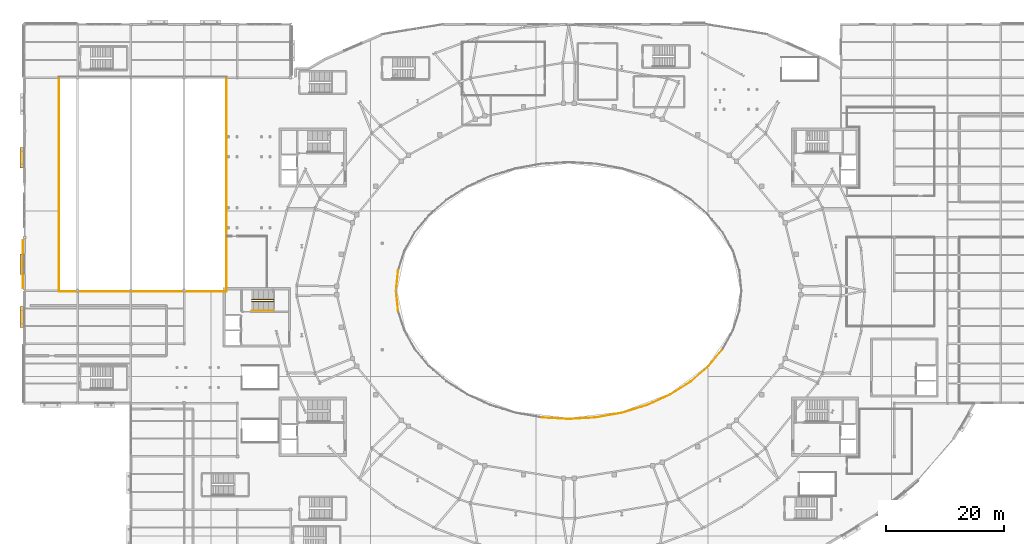
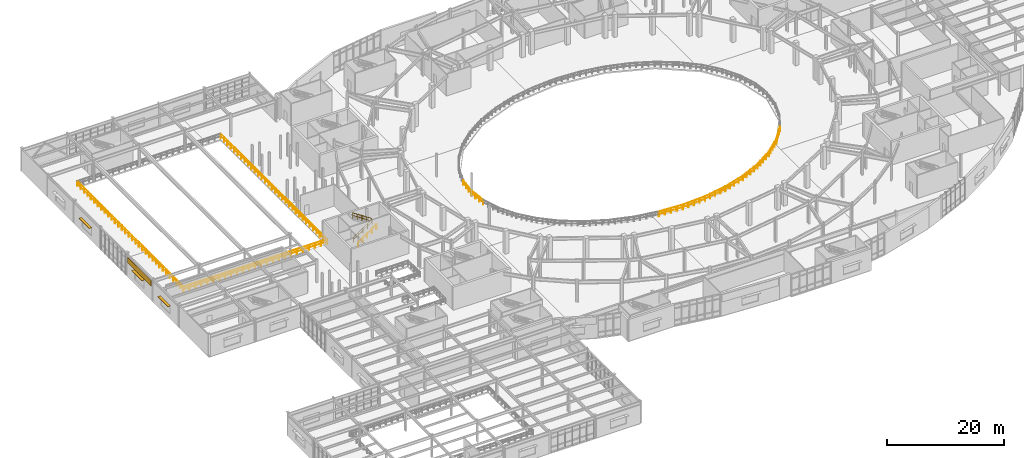
# One storey, part 83 of 86: 15 railings, 3 shading devices, 1 covering.
"""IFC4 building model written with IfcOpenShell, lengths in metres."""

import ifcopenshell
import ifcopenshell.guid

model = None  # the IFC model being written
_history = None  # IfcOwnerHistory: only IFC2X3 demands one
_inside = {}  # id of a spatial element -> (the spatial element, [elements in it])
_under = {}  # id of a project, library or spatial element -> (it, [spatial elements below it])
_declared = {}  # id of a project -> (the project, [libraries it declares])
_typed = {}  # id of a type object -> (the type object, [elements of that type])
_made_of = {}  # id of a material, layer set ... -> (it, [elements and type objects made of it])


def new_model(schema):
    """Start an empty IFC model of exactly this schema.

    Asked for "IFC4X3", IfcOpenShell would pick the latest addendum, in which some entities
    have other attributes; the version numbers below select the first issue.
    IFC2X3 requires an IfcOwnerHistory on every rooted entity: one is made here for all.
    """
    global model, _history
    if schema == "IFC4X3":
        model = ifcopenshell.file(schema_version=(4, 3, 0, 0))
    else:
        model = ifcopenshell.file(schema=schema)
    _inside.clear()
    _under.clear()
    _declared.clear()
    _typed.clear()
    _made_of.clear()
    _history = None
    if model.schema == "IFC2X3":
        org = make("IfcOrganization", Name="unknown")
        user = make(
            "IfcPersonAndOrganization",
            ThePerson=make("IfcPerson", FamilyName="unknown"),
            TheOrganization=org,
        )
        app = make(
            "IfcApplication",
            ApplicationDeveloper=org,
            Version="unknown",
            ApplicationFullName="unknown",
            ApplicationIdentifier="unknown",
        )
        _history = make(
            "IfcOwnerHistory",
            OwningUser=user,
            OwningApplication=app,
            ChangeAction="ADDED",
            CreationDate=0,
        )
    return model


def make(cls, **values):
    """One entity of the class cls with the attributes given. An attribute that is None is left unset."""
    return model.create_entity(
        cls, **{name: value for name, value in values.items() if value is not None}
    )


def rooted(cls, **values):
    """An entity with a GlobalId (a new one), such as an element, a storey or a relation."""
    return make(cls, GlobalId=ifcopenshell.guid.new(), OwnerHistory=_history, **values)


def si_unit(unit_type, name, prefix=None):
    """IfcSIUnit, for example si_unit("LENGTHUNIT", "METRE", prefix="MILLI")."""
    return make("IfcSIUnit", UnitType=unit_type, Prefix=prefix, Name=name)


def assignment(units):
    """IfcUnitAssignment: the units of a project."""
    return None if units is None else make("IfcUnitAssignment", Units=units)


def point(xyz):
    """IfcCartesianPoint."""
    return None if xyz is None else make("IfcCartesianPoint", Coordinates=xyz)


def direction(xyz):
    """IfcDirection."""
    return None if xyz is None else make("IfcDirection", DirectionRatios=xyz)


def frame(location, z_axis=None, x_axis=None):
    """IfcAxis2Placement3D, a coordinate frame: its origin and axes. An axis left out is left unset."""
    return make(
        "IfcAxis2Placement3D",
        Location=point(location),
        Axis=direction(z_axis),
        RefDirection=direction(x_axis),
    )


def frame_2d(location, x_axis=None):
    """IfcAxis2Placement2D, a coordinate frame in the plane: its origin and x axis."""
    return make(
        "IfcAxis2Placement2D", Location=point(location), RefDirection=direction(x_axis)
    )


def origin():
    """The frame at (0, 0, 0) with its axes left unset."""
    return frame((0.0, 0.0, 0.0))


def origin_2d():
    """The frame at (0, 0) in the plane with its x axis left unset."""
    return frame_2d((0.0, 0.0))


def place(relative_to, where):
    """IfcLocalPlacement: puts the frame where relative to a parent placement (None: the world)."""
    return make(
        "IfcLocalPlacement", PlacementRelTo=relative_to, RelativePlacement=where
    )


def context(
    kind, dimensions, precision=None, world=None, true_north=None, identifier=None
):
    """IfcGeometricRepresentationContext, for example the 3D "Model" context."""
    return make(
        "IfcGeometricRepresentationContext",
        ContextIdentifier=identifier,
        ContextType=kind,
        CoordinateSpaceDimension=dimensions,
        Precision=precision,
        WorldCoordinateSystem=world,
        TrueNorth=true_north,
    )


def subcontext(parent, identifier, kind, view, scale=None):
    """IfcGeometricRepresentationSubContext, for example "Body" below "Model"."""
    return make(
        "IfcGeometricRepresentationSubContext",
        ContextIdentifier=identifier,
        ContextType=kind,
        ParentContext=parent,
        TargetScale=scale,
        TargetView=view,
    )


def project(units=None, contexts=None):
    """IfcProject with its units and contexts."""
    return rooted(
        "IfcProject",
        Name="project",
        RepresentationContexts=contexts,
        UnitsInContext=assignment(units),
    )


def spatial(cls, under=None, at=None, **own):
    """A site, building, storey or space (cls), placed at a placement, below another one or the project."""
    s = rooted(cls, ObjectPlacement=at, **own)
    if under is not None:
        _under.setdefault(under.id(), (under, []))[1].append(s)
    return s


def profile(cls, at=None, kind="AREA", **sizes):
    """A parametric profile (cls). Its sizes go by their IFC names, for example OverallWidth=200.0."""
    return make(cls, ProfileType=kind, Position=at, **sizes)


def rectangle(**sizes):
    """IfcRectangleProfileDef."""
    return profile("IfcRectangleProfileDef", **sizes)


def circle(**sizes):
    """IfcCircleProfileDef."""
    return profile("IfcCircleProfileDef", **sizes)


def extrude(swept, where, along, depth):
    """IfcExtrudedAreaSolid: the profile swept, set in the frame where, extruded along a direction by depth."""
    return make(
        "IfcExtrudedAreaSolid",
        SweptArea=swept,
        Position=where,
        ExtrudedDirection=direction(along),
        Depth=depth,
    )


def shape(context_of_items, identifier, shape_type, items):
    """IfcShapeRepresentation: the items that make up one representation, for example the "Body"."""
    return make(
        "IfcShapeRepresentation",
        ContextOfItems=context_of_items,
        RepresentationIdentifier=identifier,
        RepresentationType=shape_type,
        Items=items,
    )


def material(Name=None, Category=None):
    """IfcMaterial."""
    return make("IfcMaterial", Name=Name, Category=Category)


def layer(
    of_material, thickness, ventilated=None, Name=None, Category=None, Priority=None
):
    """IfcMaterialLayer: one layer of a wall or slab, of a material (None: an air gap)."""
    return make(
        "IfcMaterialLayer",
        Material=of_material,
        LayerThickness=thickness,
        IsVentilated=ventilated,
        Name=Name,
        Category=Category,
        Priority=Priority,
    )


def layer_set(layers, Name=None):
    """IfcMaterialLayerSet."""
    return make("IfcMaterialLayerSet", MaterialLayers=layers, LayerSetName=Name)


def made_of(thing, what):
    """Note that an element or type object is made of a material, layer set ...; save() writes the relation."""
    if what is not None:
        _made_of.setdefault(what.id(), (what, []))[1].append(thing)
    return thing


def type_object(cls, material=None, **own):
    """A type object (cls), such as IfcWallType, which elements share."""
    return made_of(rooted(cls, **own), material)


def element(
    cls,
    number,
    at=None,
    inside=None,
    cuts=None,
    type_object=None,
    material=None,
    context=None,
    identifier="Body",
    shape_type=None,
    held_by="IfcProductDefinitionShape",
    body=None,
    shapes=None,
    **own,
):
    """One element of the class cls, such as IfcWall. Its Tag is "e" and its number.

    at: its placement. inside: the storey or other place that contains it. cuts: it is an
    opening in that element (IfcRelVoidsElement). A single representation is given by context,
    identifier, shape_type and body (its items); several are given by shapes. held_by: the class
    of the entity that holds the representations. save() writes the other relations.
    """
    e = rooted(cls, Tag="e%d" % number, ObjectPlacement=at, **own)
    if body is not None:
        shapes = [shape(context, identifier, shape_type, body)]
    if shapes is not None:
        e.Representation = make(held_by, Representations=shapes)
    if inside is not None:
        _inside.setdefault(inside.id(), (inside, []))[1].append(e)
    if cuts is not None:
        rooted(
            "IfcRelVoidsElement", RelatingBuildingElement=cuts, RelatedOpeningElement=e
        )
    if type_object is not None:
        _typed.setdefault(type_object.id(), (type_object, []))[1].append(e)
    return made_of(e, material)


def aggregate(whole, parts):
    """IfcRelAggregates: a whole, such as a stair, and the parts it consists of."""
    return rooted("IfcRelAggregates", RelatingObject=whole, RelatedObjects=parts)


def save(model, path):
    """Write the relations noted so far, then the file.

    IfcRelAggregates (storeys below a building ...), IfcRelContainedInSpatialStructure (elements
    in a storey), IfcRelDefinesByType, IfcRelAssociatesMaterial and IfcRelDeclares: one each for
    every whole, place, type object, material and project.
    """
    for whole, parts in _under.values():
        aggregate(whole, parts)
    for where, things in _inside.values():
        rooted(
            "IfcRelContainedInSpatialStructure",
            RelatedElements=things,
            RelatingStructure=where,
        )
    for kind, things in _typed.values():
        rooted("IfcRelDefinesByType", RelatedObjects=things, RelatingType=kind)
    for what, things in _made_of.values():
        rooted("IfcRelAssociatesMaterial", RelatedObjects=things, RelatingMaterial=what)
    for by, libraries in _declared.values():
        rooted("IfcRelDeclares", RelatingContext=by, RelatedDefinitions=libraries)
    model.write(path)


model = new_model("IFC4")

# Units and contexts
model_context = context("Model", 3, precision=1e-05, world=origin(), true_north=direction((0.0, 1.0)))
body_context = subcontext(model_context, "Body", "Model", "MODEL_VIEW")
ifc_project = project(units=[si_unit("LENGTHUNIT", "METRE"), si_unit("AREAUNIT", "SQUARE_METRE"), si_unit("VOLUMEUNIT", "CUBIC_METRE"), si_unit("PLANEANGLEUNIT", "RADIAN"), si_unit("MASSUNIT", "GRAM", prefix="KILO")], contexts=[model_context])

# Site, building, storey
site_placement = place(None, origin())
site = spatial("IfcSite", under=ifc_project, at=site_placement, CompositionType="ELEMENT")
building_placement = place(site_placement, origin())
building = spatial("IfcBuilding", under=site, at=building_placement, Name="Glasvene Arena", CompositionType="ELEMENT")
storey_placement = place(building_placement, frame((0.0, 0.0, 5.39990234375)))
storey = spatial("IfcBuildingStorey", under=building, at=storey_placement, Name="L01", CompositionType="ELEMENT", Elevation=5.39990234375)

# Covering
ifc_material_1 = material(Name="Coursed pale Irish limestone", Category="masonry")
ifc_layer_1 = layer(ifc_material_1, 0.050048828125)
ifc_layer_set_1 = layer_set([ifc_layer_1], Name="Coursed pale Irish limestone")
covering_type = type_object("IfcCoveringType", Name="COV-CLAD-LIM", PredefinedType="CLADDING", material=ifc_layer_set_1)
covering_placement = place(storey_placement, frame((-0.219970703125, 77.4658203125, 2.9501953125), z_axis=(0.0, 0.0, 1.0), x_axis=(0.0, 1.0, 0.0)))
element("IfcCovering", 1, at=covering_placement, inside=storey, type_object=covering_type, Name="Irish limestone spandrel cladding EW-L01-0118", PredefinedType="CLADDING", context=body_context, shape_type="SweptSolid", body=[
    extrude(rectangle(XDim=8.107177734375, YDim=0.050048828125, at=origin_2d()), origin(), (0.0, 0.0, 1.0), 1.215087890625),
])

# Railings
ifc_material_2 = material(Name="Brushed stainless steel", Category="steel")
railing_type_1 = type_object("IfcRailingType", Name="RL-GUARD-1100", PredefinedType="GUARDRAIL", material=ifc_material_2)
railing_1_placement = place(storey_placement, frame((38.449951171875, 71.159912109375, 0.0)))
element("IfcRailing", 2, at=railing_1_placement, inside=storey, type_object=railing_type_1, Name="Stair inner well continuous guardrail ST-07-L01", PredefinedType="GUARDRAIL", context=body_context, shape_type="SweptSolid", body=[
    extrude(circle(Radius=0.02392578125, at=origin_2d()), frame((0.0, 0.0, 1.076171875), z_axis=(0.837590697589, 0.0, 0.546298291515), x_axis=(0.0, 1.0, 0.0)), (0.0, 0.0, 1.0), 4.3935546875),
    extrude(circle(Radius=0.01611328125, at=origin_2d()), frame((0.0, 0.0, 0.550048828125), z_axis=(0.837590697589, 0.0, 0.546298291515), x_axis=(0.0, 1.0, 0.0)), (0.0, 0.0, 1.0), 4.3935546875),
    extrude(circle(Radius=0.02392578125, at=origin_2d()), frame((3.679931640625, 0.0, 3.47607421875), z_axis=(0.0, 1.0, 0.0), x_axis=(-1.0, 0.0, 0.0)), (0.0, 0.0, 1.0), 0.330078125),
    extrude(circle(Radius=0.01611328125, at=origin_2d()), frame((3.679931640625, 0.0, 2.9501953125), z_axis=(0.0, 1.0, 0.0), x_axis=(-1.0, 0.0, 0.0)), (0.0, 0.0, 1.0), 0.330078125),
    extrude(circle(Radius=0.02392578125, at=origin_2d()), frame((3.679931640625, 0.330078125, 3.47607421875), z_axis=(-0.837616124378, 0.0, 0.546259304892), x_axis=(0.0, -1.0, 0.0)), (0.0, 0.0, 1.0), 4.393310546875),
    extrude(circle(Radius=0.01611328125, at=origin_2d()), frame((3.679931640625, 0.330078125, 2.9501953125), z_axis=(-0.837616124378, 0.0, 0.546259304892), x_axis=(0.0, -1.0, 0.0)), (0.0, 0.0, 1.0), 4.393310546875),
    extrude(circle(Radius=0.02099609375, at=origin_2d()), origin(), (0.0, 0.0, 1.0), 1.052001953125),
    extrude(circle(Radius=0.02099609375, at=origin_2d()), frame((0.919921875, 0.0, 0.60009765625)), (0.0, 0.0, 1.0), 1.052001953125),
    extrude(circle(Radius=0.02099609375, at=origin_2d()), frame((1.83984375, 0.0, 1.2001953125)), (0.0, 0.0, 1.0), 1.052001953125),
    extrude(circle(Radius=0.02099609375, at=origin_2d()), frame((2.760009765625, 0.0, 1.800048828125)), (0.0, 0.0, 1.0), 1.052001953125),
    extrude(circle(Radius=0.02099609375, at=origin_2d()), frame((3.679931640625, 0.0, 2.400146484375)), (0.0, 0.0, 1.0), 1.052001953125),
    extrude(circle(Radius=0.02099609375, at=origin_2d()), frame((3.679931640625, 0.330078125, 2.400146484375)), (0.0, 0.0, 1.0), 1.052001953125),
    extrude(circle(Radius=0.02099609375, at=origin_2d()), frame((2.760009765625, 0.330078125, 3.0)), (0.0, 0.0, 1.0), 1.052001953125),
    extrude(circle(Radius=0.02099609375, at=origin_2d()), frame((1.83984375, 0.330078125, 3.60009765625)), (0.0, 0.0, 1.0), 1.052001953125),
    extrude(circle(Radius=0.02099609375, at=origin_2d()), frame((0.919921875, 0.330078125, 4.2001953125)), (0.0, 0.0, 1.0), 1.052001953125),
    extrude(circle(Radius=0.02099609375, at=origin_2d()), frame((0.0, 0.330078125, 4.800048828125)), (0.0, 0.0, 1.0), 1.052001953125),
])
railing_2_placement = place(storey_placement, frame((5.85009765625, 72.85009765625, 0.0)))
element("IfcRailing", 3, at=railing_2_placement, inside=storey, type_object=railing_type_1, Name="Safety guardrail GD-ATR-CRT-001", PredefinedType="GUARDRAIL", context=body_context, shape_type="SweptSolid", body=[
    extrude(circle(Radius=0.02392578125, at=origin_2d()), frame((0.0, 0.0, 1.076171875), z_axis=(1.0, 0.0, 0.0), x_axis=(0.0, 1.0, 0.0)), (0.0, 0.0, 1.0), 28.2998046875),
    extrude(circle(Radius=0.01611328125, at=origin_2d()), frame((0.0, 0.0, 0.550048828125), z_axis=(1.0, 0.0, 0.0), x_axis=(0.0, 1.0, 0.0)), (0.0, 0.0, 1.0), 28.2998046875),
    extrude(circle(Radius=0.02099609375, at=origin_2d()), origin(), (0.0, 0.0, 1.0), 1.052001953125),
    extrude(circle(Radius=0.02099609375, at=origin_2d()), frame((1.17919921875, 0.0, 0.0)), (0.0, 0.0, 1.0), 1.052001953125),
    extrude(circle(Radius=0.02099609375, at=origin_2d()), frame((2.3583984375, 0.0, 0.0)), (0.0, 0.0, 1.0), 1.052001953125),
    extrude(circle(Radius=0.02099609375, at=origin_2d()), frame((3.53759765625, 0.0, 0.0)), (0.0, 0.0, 1.0), 1.052001953125),
    extrude(circle(Radius=0.02099609375, at=origin_2d()), frame((4.716552734375, 0.0, 0.0)), (0.0, 0.0, 1.0), 1.052001953125),
    extrude(circle(Radius=0.02099609375, at=origin_2d()), frame((5.895751953125, 0.0, 0.0)), (0.0, 0.0, 1.0), 1.052001953125),
    extrude(circle(Radius=0.02099609375, at=origin_2d()), frame((7.074951171875, 0.0, 0.0)), (0.0, 0.0, 1.0), 1.052001953125),
    extrude(circle(Radius=0.02099609375, at=origin_2d()), frame((8.254150390625, 0.0, 0.0)), (0.0, 0.0, 1.0), 1.052001953125),
    extrude(circle(Radius=0.02099609375, at=origin_2d()), frame((9.433349609375, 0.0, 0.0)), (0.0, 0.0, 1.0), 1.052001953125),
    extrude(circle(Radius=0.02099609375, at=origin_2d()), frame((10.6123046875, 0.0, 0.0)), (0.0, 0.0, 1.0), 1.052001953125),
    extrude(circle(Radius=0.02099609375, at=origin_2d()), frame((11.79150390625, 0.0, 0.0)), (0.0, 0.0, 1.0), 1.052001953125),
    extrude(circle(Radius=0.02099609375, at=origin_2d()), frame((12.970703125, 0.0, 0.0)), (0.0, 0.0, 1.0), 1.052001953125),
    extrude(circle(Radius=0.02099609375, at=origin_2d()), frame((14.14990234375, 0.0, 0.0)), (0.0, 0.0, 1.0), 1.052001953125),
    extrude(circle(Radius=0.02099609375, at=origin_2d()), frame((15.3291015625, 0.0, 0.0)), (0.0, 0.0, 1.0), 1.052001953125),
    extrude(circle(Radius=0.02099609375, at=origin_2d()), frame((16.50830078125, 0.0, 0.0)), (0.0, 0.0, 1.0), 1.052001953125),
    extrude(circle(Radius=0.02099609375, at=origin_2d()), frame((17.6875, 0.0, 0.0)), (0.0, 0.0, 1.0), 1.052001953125),
    extrude(circle(Radius=0.02099609375, at=origin_2d()), frame((18.866455078125, 0.0, 0.0)), (0.0, 0.0, 1.0), 1.052001953125),
    extrude(circle(Radius=0.02099609375, at=origin_2d()), frame((20.045654296875, 0.0, 0.0)), (0.0, 0.0, 1.0), 1.052001953125),
    extrude(circle(Radius=0.02099609375, at=origin_2d()), frame((21.224853515625, 0.0, 0.0)), (0.0, 0.0, 1.0), 1.052001953125),
    extrude(circle(Radius=0.02099609375, at=origin_2d()), frame((22.404052734375, 0.0, 0.0)), (0.0, 0.0, 1.0), 1.052001953125),
    extrude(circle(Radius=0.02099609375, at=origin_2d()), frame((23.583251953125, 0.0, 0.0)), (0.0, 0.0, 1.0), 1.052001953125),
    extrude(circle(Radius=0.02099609375, at=origin_2d()), frame((24.76220703125, 0.0, 0.0)), (0.0, 0.0, 1.0), 1.052001953125),
    extrude(circle(Radius=0.02099609375, at=origin_2d()), frame((25.94140625, 0.0, 0.0)), (0.0, 0.0, 1.0), 1.052001953125),
    extrude(circle(Radius=0.02099609375, at=origin_2d()), frame((27.12060546875, 0.0, 0.0)), (0.0, 0.0, 1.0), 1.052001953125),
    extrude(circle(Radius=0.02099609375, at=origin_2d()), frame((28.2998046875, 0.0, 0.0)), (0.0, 0.0, 1.0), 1.052001953125),
])
railing_3_placement = place(storey_placement, frame((34.14990234375, 72.85009765625, 0.0)))
element("IfcRailing", 4, at=railing_3_placement, inside=storey, type_object=railing_type_1, Name="Safety guardrail GD-ATR-CRT-002", PredefinedType="GUARDRAIL", context=body_context, shape_type="SweptSolid", body=[
    extrude(circle(Radius=0.02392578125, at=origin_2d()), frame((0.0, 0.0, 1.076171875), z_axis=(0.0, 1.0, 0.0), x_axis=(-1.0, 0.0, 0.0)), (0.0, 0.0, 1.0), 36.2998046875),
    extrude(circle(Radius=0.01611328125, at=origin_2d()), frame((0.0, 0.0, 0.550048828125), z_axis=(0.0, 1.0, 0.0), x_axis=(-1.0, 0.0, 0.0)), (0.0, 0.0, 1.0), 36.2998046875),
    extrude(circle(Radius=0.02099609375, at=origin_2d()), origin(), (0.0, 0.0, 1.0), 1.052001953125),
    extrude(circle(Radius=0.02099609375, at=origin_2d()), frame((0.0, 1.1708984375, 0.0)), (0.0, 0.0, 1.0), 1.052001953125),
    extrude(circle(Radius=0.02099609375, at=origin_2d()), frame((0.0, 2.342041015625, 0.0)), (0.0, 0.0, 1.0), 1.052001953125),
    extrude(circle(Radius=0.02099609375, at=origin_2d()), frame((0.0, 3.512939453125, 0.0)), (0.0, 0.0, 1.0), 1.052001953125),
    extrude(circle(Radius=0.02099609375, at=origin_2d()), frame((0.0, 4.683837890625, 0.0)), (0.0, 0.0, 1.0), 1.052001953125),
    extrude(circle(Radius=0.02099609375, at=origin_2d()), frame((0.0, 5.854736328125, 0.0)), (0.0, 0.0, 1.0), 1.052001953125),
    extrude(circle(Radius=0.02099609375, at=origin_2d()), frame((0.0, 7.02587890625, 0.0)), (0.0, 0.0, 1.0), 1.052001953125),
    extrude(circle(Radius=0.02099609375, at=origin_2d()), frame((0.0, 8.19677734375, 0.0)), (0.0, 0.0, 1.0), 1.052001953125),
    extrude(circle(Radius=0.02099609375, at=origin_2d()), frame((0.0, 9.36767578125, 0.0)), (0.0, 0.0, 1.0), 1.052001953125),
    extrude(circle(Radius=0.02099609375, at=origin_2d()), frame((0.0, 10.53857421875, 0.0)), (0.0, 0.0, 1.0), 1.052001953125),
    extrude(circle(Radius=0.02099609375, at=origin_2d()), frame((0.0, 11.709716796875, 0.0)), (0.0, 0.0, 1.0), 1.052001953125),
    extrude(circle(Radius=0.02099609375, at=origin_2d()), frame((0.0, 12.880615234375, 0.0)), (0.0, 0.0, 1.0), 1.052001953125),
    extrude(circle(Radius=0.02099609375, at=origin_2d()), frame((0.0, 14.051513671875, 0.0)), (0.0, 0.0, 1.0), 1.052001953125),
    extrude(circle(Radius=0.02099609375, at=origin_2d()), frame((0.0, 15.222412109375, 0.0)), (0.0, 0.0, 1.0), 1.052001953125),
    extrude(circle(Radius=0.02099609375, at=origin_2d()), frame((0.0, 16.3935546875, 0.0)), (0.0, 0.0, 1.0), 1.052001953125),
    extrude(circle(Radius=0.02099609375, at=origin_2d()), frame((0.0, 17.564453125, 0.0)), (0.0, 0.0, 1.0), 1.052001953125),
    extrude(circle(Radius=0.02099609375, at=origin_2d()), frame((0.0, 18.7353515625, 0.0)), (0.0, 0.0, 1.0), 1.052001953125),
    extrude(circle(Radius=0.02099609375, at=origin_2d()), frame((0.0, 19.90625, 0.0)), (0.0, 0.0, 1.0), 1.052001953125),
    extrude(circle(Radius=0.02099609375, at=origin_2d()), frame((0.0, 21.077392578125, 0.0)), (0.0, 0.0, 1.0), 1.052001953125),
    extrude(circle(Radius=0.02099609375, at=origin_2d()), frame((0.0, 22.248291015625, 0.0)), (0.0, 0.0, 1.0), 1.052001953125),
    extrude(circle(Radius=0.02099609375, at=origin_2d()), frame((0.0, 23.419189453125, 0.0)), (0.0, 0.0, 1.0), 1.052001953125),
    extrude(circle(Radius=0.02099609375, at=origin_2d()), frame((0.0, 24.590087890625, 0.0)), (0.0, 0.0, 1.0), 1.052001953125),
    extrude(circle(Radius=0.02099609375, at=origin_2d()), frame((0.0, 25.76123046875, 0.0)), (0.0, 0.0, 1.0), 1.052001953125),
    extrude(circle(Radius=0.02099609375, at=origin_2d()), frame((0.0, 26.93212890625, 0.0)), (0.0, 0.0, 1.0), 1.052001953125),
    extrude(circle(Radius=0.02099609375, at=origin_2d()), frame((0.0, 28.10302734375, 0.0)), (0.0, 0.0, 1.0), 1.052001953125),
    extrude(circle(Radius=0.02099609375, at=origin_2d()), frame((0.0, 29.27392578125, 0.0)), (0.0, 0.0, 1.0), 1.052001953125),
    extrude(circle(Radius=0.02099609375, at=origin_2d()), frame((0.0, 30.445068359375, 0.0)), (0.0, 0.0, 1.0), 1.052001953125),
    extrude(circle(Radius=0.02099609375, at=origin_2d()), frame((0.0, 31.615966796875, 0.0)), (0.0, 0.0, 1.0), 1.052001953125),
    extrude(circle(Radius=0.02099609375, at=origin_2d()), frame((0.0, 32.786865234375, 0.0)), (0.0, 0.0, 1.0), 1.052001953125),
    extrude(circle(Radius=0.02099609375, at=origin_2d()), frame((0.0, 33.957763671875, 0.0)), (0.0, 0.0, 1.0), 1.052001953125),
    extrude(circle(Radius=0.02099609375, at=origin_2d()), frame((0.0, 35.12890625, 0.0)), (0.0, 0.0, 1.0), 1.052001953125),
    extrude(circle(Radius=0.02099609375, at=origin_2d()), frame((0.0, 36.2998046875, 0.0)), (0.0, 0.0, 1.0), 1.052001953125),
])
railing_4_placement = place(storey_placement, frame((5.85009765625, 109.14990234375, 0.0)))
element("IfcRailing", 5, at=railing_4_placement, inside=storey, type_object=railing_type_1, Name="Safety guardrail GD-ATR-CRT-004", PredefinedType="GUARDRAIL", context=body_context, shape_type="SweptSolid", body=[
    extrude(circle(Radius=0.02392578125, at=origin_2d()), frame((0.0, 0.0, 1.076171875), z_axis=(0.0, -1.0, 0.0), x_axis=(1.0, 0.0, 0.0)), (0.0, 0.0, 1.0), 36.2998046875),
    extrude(circle(Radius=0.01611328125, at=origin_2d()), frame((0.0, 0.0, 0.550048828125), z_axis=(0.0, -1.0, 0.0), x_axis=(1.0, 0.0, 0.0)), (0.0, 0.0, 1.0), 36.2998046875),
    extrude(circle(Radius=0.02099609375, at=origin_2d()), origin(), (0.0, 0.0, 1.0), 1.052001953125),
    extrude(circle(Radius=0.02099609375, at=origin_2d()), frame((0.0, -1.1708984375, 0.0)), (0.0, 0.0, 1.0), 1.052001953125),
    extrude(circle(Radius=0.02099609375, at=origin_2d()), frame((0.0, -2.342041015625, 0.0)), (0.0, 0.0, 1.0), 1.052001953125),
    extrude(circle(Radius=0.02099609375, at=origin_2d()), frame((0.0, -3.512939453125, 0.0)), (0.0, 0.0, 1.0), 1.052001953125),
    extrude(circle(Radius=0.02099609375, at=origin_2d()), frame((0.0, -4.683837890625, 0.0)), (0.0, 0.0, 1.0), 1.052001953125),
    extrude(circle(Radius=0.02099609375, at=origin_2d()), frame((0.0, -5.854736328125, 0.0)), (0.0, 0.0, 1.0), 1.052001953125),
    extrude(circle(Radius=0.02099609375, at=origin_2d()), frame((0.0, -7.02587890625, 0.0)), (0.0, 0.0, 1.0), 1.052001953125),
    extrude(circle(Radius=0.02099609375, at=origin_2d()), frame((0.0, -8.19677734375, 0.0)), (0.0, 0.0, 1.0), 1.052001953125),
    extrude(circle(Radius=0.02099609375, at=origin_2d()), frame((0.0, -9.36767578125, 0.0)), (0.0, 0.0, 1.0), 1.052001953125),
    extrude(circle(Radius=0.02099609375, at=origin_2d()), frame((0.0, -10.53857421875, 0.0)), (0.0, 0.0, 1.0), 1.052001953125),
    extrude(circle(Radius=0.02099609375, at=origin_2d()), frame((0.0, -11.709716796875, 0.0)), (0.0, 0.0, 1.0), 1.052001953125),
    extrude(circle(Radius=0.02099609375, at=origin_2d()), frame((0.0, -12.880615234375, 0.0)), (0.0, 0.0, 1.0), 1.052001953125),
    extrude(circle(Radius=0.02099609375, at=origin_2d()), frame((0.0, -14.051513671875, 0.0)), (0.0, 0.0, 1.0), 1.052001953125),
    extrude(circle(Radius=0.02099609375, at=origin_2d()), frame((0.0, -15.222412109375, 0.0)), (0.0, 0.0, 1.0), 1.052001953125),
    extrude(circle(Radius=0.02099609375, at=origin_2d()), frame((0.0, -16.3935546875, 0.0)), (0.0, 0.0, 1.0), 1.052001953125),
    extrude(circle(Radius=0.02099609375, at=origin_2d()), frame((0.0, -17.564453125, 0.0)), (0.0, 0.0, 1.0), 1.052001953125),
    extrude(circle(Radius=0.02099609375, at=origin_2d()), frame((0.0, -18.7353515625, 0.0)), (0.0, 0.0, 1.0), 1.052001953125),
    extrude(circle(Radius=0.02099609375, at=origin_2d()), frame((0.0, -19.90625, 0.0)), (0.0, 0.0, 1.0), 1.052001953125),
    extrude(circle(Radius=0.02099609375, at=origin_2d()), frame((0.0, -21.077392578125, 0.0)), (0.0, 0.0, 1.0), 1.052001953125),
    extrude(circle(Radius=0.02099609375, at=origin_2d()), frame((0.0, -22.248291015625, 0.0)), (0.0, 0.0, 1.0), 1.052001953125),
    extrude(circle(Radius=0.02099609375, at=origin_2d()), frame((0.0, -23.419189453125, 0.0)), (0.0, 0.0, 1.0), 1.052001953125),
    extrude(circle(Radius=0.02099609375, at=origin_2d()), frame((0.0, -24.590087890625, 0.0)), (0.0, 0.0, 1.0), 1.052001953125),
    extrude(circle(Radius=0.02099609375, at=origin_2d()), frame((0.0, -25.76123046875, 0.0)), (0.0, 0.0, 1.0), 1.052001953125),
    extrude(circle(Radius=0.02099609375, at=origin_2d()), frame((0.0, -26.93212890625, 0.0)), (0.0, 0.0, 1.0), 1.052001953125),
    extrude(circle(Radius=0.02099609375, at=origin_2d()), frame((0.0, -28.10302734375, 0.0)), (0.0, 0.0, 1.0), 1.052001953125),
    extrude(circle(Radius=0.02099609375, at=origin_2d()), frame((0.0, -29.27392578125, 0.0)), (0.0, 0.0, 1.0), 1.052001953125),
    extrude(circle(Radius=0.02099609375, at=origin_2d()), frame((0.0, -30.445068359375, 0.0)), (0.0, 0.0, 1.0), 1.052001953125),
    extrude(circle(Radius=0.02099609375, at=origin_2d()), frame((0.0, -31.615966796875, 0.0)), (0.0, 0.0, 1.0), 1.052001953125),
    extrude(circle(Radius=0.02099609375, at=origin_2d()), frame((0.0, -32.786865234375, 0.0)), (0.0, 0.0, 1.0), 1.052001953125),
    extrude(circle(Radius=0.02099609375, at=origin_2d()), frame((0.0, -33.957763671875, 0.0)), (0.0, 0.0, 1.0), 1.052001953125),
    extrude(circle(Radius=0.02099609375, at=origin_2d()), frame((0.0, -35.12890625, 0.0)), (0.0, 0.0, 1.0), 1.052001953125),
    extrude(circle(Radius=0.02099609375, at=origin_2d()), frame((0.0, -36.2998046875, 0.0)), (0.0, 0.0, 1.0), 1.052001953125),
])
railing_5_placement = place(storey_placement, frame((63.159423828125, 76.39453125, 0.0)))
element("IfcRailing", 6, at=railing_5_placement, inside=storey, type_object=railing_type_1, Name="Safety guardrail GD-BWL-L01-020", PredefinedType="GUARDRAIL", context=body_context, shape_type="SweptSolid", body=[
    extrude(circle(Radius=0.02392578125, at=origin_2d()), frame((0.0, 0.0, 1.076171875), z_axis=(-0.10528045623, -0.994442570255, 0.0), x_axis=(0.994442570255, -0.10528045623, 0.0)), (0.0, 0.0, 1.0), 3.41357421875),
    extrude(circle(Radius=0.01611328125, at=origin_2d()), frame((0.0, 0.0, 0.550048828125), z_axis=(-0.10528045623, -0.994442570255, 0.0), x_axis=(0.994442570255, -0.10528045623, 0.0)), (0.0, 0.0, 1.0), 3.41357421875),
    extrude(circle(Radius=0.02099609375, at=origin_2d()), origin(), (0.0, 0.0, 1.0), 1.052001953125),
    extrude(circle(Radius=0.02099609375, at=origin_2d()), frame((-0.119873046875, -1.131591796875, 0.0)), (0.0, 0.0, 1.0), 1.052001953125),
    extrude(circle(Radius=0.02099609375, at=origin_2d()), frame((-0.239501953125, -2.262939453125, 0.0)), (0.0, 0.0, 1.0), 1.052001953125),
    extrude(circle(Radius=0.02099609375, at=origin_2d()), frame((-0.359375, -3.39453125, 0.0)), (0.0, 0.0, 1.0), 1.052001953125),
])
railing_6_placement = place(storey_placement, frame((62.800048828125, 73.0, 0.0)))
element("IfcRailing", 7, at=railing_6_placement, inside=storey, type_object=railing_type_1, Name="Safety guardrail GD-BWL-L01-021", PredefinedType="GUARDRAIL", context=body_context, shape_type="SweptSolid", body=[
    extrude(circle(Radius=0.02392578125, at=origin_2d()), frame((0.0, 0.0, 1.076171875), z_axis=(0.10528045623, -0.994442570255, 0.0), x_axis=(0.994442570255, 0.10528045623, 0.0)), (0.0, 0.0, 1.0), 3.41357421875),
    extrude(circle(Radius=0.01611328125, at=origin_2d()), frame((0.0, 0.0, 0.550048828125), z_axis=(0.10528045623, -0.994442570255, 0.0), x_axis=(0.994442570255, 0.10528045623, 0.0)), (0.0, 0.0, 1.0), 3.41357421875),
    extrude(circle(Radius=0.02099609375, at=origin_2d()), origin(), (0.0, 0.0, 1.0), 1.052001953125),
    extrude(circle(Radius=0.02099609375, at=origin_2d()), frame((0.119873046875, -1.131591796875, 0.0)), (0.0, 0.0, 1.0), 1.052001953125),
    extrude(circle(Radius=0.02099609375, at=origin_2d()), frame((0.239501953125, -2.262939453125, 0.0)), (0.0, 0.0, 1.0), 1.052001953125),
    extrude(circle(Radius=0.02099609375, at=origin_2d()), frame((0.359375, -3.39453125, 0.0)), (0.0, 0.0, 1.0), 1.052001953125),
])
railing_7_placement = place(storey_placement, frame((87.43212890625, 51.567138671875, 0.0)))
element("IfcRailing", 8, at=railing_7_placement, inside=storey, type_object=railing_type_1, Name="Safety guardrail GD-BWL-L01-030", PredefinedType="GUARDRAIL", context=body_context, shape_type="SweptSolid", body=[
    extrude(circle(Radius=0.02392578125, at=origin_2d()), frame((0.0, 0.0, 1.076171875), z_axis=(0.998294918251, -0.058371707139, 0.0), x_axis=(0.058371707139, 0.998294918251, 0.0)), (0.0, 0.0, 1.0), 4.57568359375),
    extrude(circle(Radius=0.01611328125, at=origin_2d()), frame((0.0, 0.0, 0.550048828125), z_axis=(0.998294918251, -0.058371707139, 0.0), x_axis=(0.058371707139, 0.998294918251, 0.0)), (0.0, 0.0, 1.0), 4.57568359375),
    extrude(circle(Radius=0.02099609375, at=origin_2d()), origin(), (0.0, 0.0, 1.0), 1.052001953125),
    extrude(circle(Radius=0.02099609375, at=origin_2d()), frame((1.14208984375, -0.06689453125, 0.0)), (0.0, 0.0, 1.0), 1.052001953125),
    extrude(circle(Radius=0.02099609375, at=origin_2d()), frame((2.283935546875, -0.133544921875, 0.0)), (0.0, 0.0, 1.0), 1.052001953125),
    extrude(circle(Radius=0.02099609375, at=origin_2d()), frame((3.42578125, -0.2001953125, 0.0)), (0.0, 0.0, 1.0), 1.052001953125),
    extrude(circle(Radius=0.02099609375, at=origin_2d()), frame((4.56787109375, -0.26708984375, 0.0)), (0.0, 0.0, 1.0), 1.052001953125),
])
railing_8_placement = place(storey_placement, frame((92.0, 51.300048828125, 0.0)))
element("IfcRailing", 9, at=railing_8_placement, inside=storey, type_object=railing_type_1, Name="Safety guardrail GD-BWL-L01-031", PredefinedType="GUARDRAIL", context=body_context, shape_type="SweptSolid", body=[
    extrude(circle(Radius=0.02392578125, at=origin_2d()), frame((0.0, 0.0, 1.076171875), z_axis=(0.998294918251, 0.058371707139, 0.0), x_axis=(-0.058371707139, 0.998294918251, 0.0)), (0.0, 0.0, 1.0), 4.57568359375),
    extrude(circle(Radius=0.01611328125, at=origin_2d()), frame((0.0, 0.0, 0.550048828125), z_axis=(0.998294918251, 0.058371707139, 0.0), x_axis=(-0.058371707139, 0.998294918251, 0.0)), (0.0, 0.0, 1.0), 4.57568359375),
    extrude(circle(Radius=0.02099609375, at=origin_2d()), origin(), (0.0, 0.0, 1.0), 1.052001953125),
    extrude(circle(Radius=0.02099609375, at=origin_2d()), frame((1.14208984375, 0.06689453125, 0.0)), (0.0, 0.0, 1.0), 1.052001953125),
    extrude(circle(Radius=0.02099609375, at=origin_2d()), frame((2.283935546875, 0.133544921875, 0.0)), (0.0, 0.0, 1.0), 1.052001953125),
    extrude(circle(Radius=0.02099609375, at=origin_2d()), frame((3.42578125, 0.2001953125, 0.0)), (0.0, 0.0, 1.0), 1.052001953125),
    extrude(circle(Radius=0.02099609375, at=origin_2d()), frame((4.56787109375, 0.26708984375, 0.0)), (0.0, 0.0, 1.0), 1.052001953125),
])
railing_9_placement = place(storey_placement, frame((96.56787109375, 51.567138671875, 0.0)))
element("IfcRailing", 10, at=railing_9_placement, inside=storey, type_object=railing_type_1, Name="Safety guardrail GD-BWL-L01-032", PredefinedType="GUARDRAIL", context=body_context, shape_type="SweptSolid", body=[
    extrude(circle(Radius=0.02392578125, at=origin_2d()), frame((0.0, 0.0, 1.076171875), z_axis=(0.984453237515, 0.175646870587, 0.0), x_axis=(-0.175646870587, 0.984453237515, 0.0)), (0.0, 0.0, 1.0), 4.525634765625),
    extrude(circle(Radius=0.01611328125, at=origin_2d()), frame((0.0, 0.0, 0.550048828125), z_axis=(0.984453237515, 0.175646870587, 0.0), x_axis=(-0.175646870587, 0.984453237515, 0.0)), (0.0, 0.0, 1.0), 4.525634765625),
    extrude(circle(Radius=0.02099609375, at=origin_2d()), origin(), (0.0, 0.0, 1.0), 1.052001953125),
    extrude(circle(Radius=0.02099609375, at=origin_2d()), frame((1.11376953125, 0.19873046875, 0.0)), (0.0, 0.0, 1.0), 1.052001953125),
    extrude(circle(Radius=0.02099609375, at=origin_2d()), frame((2.2275390625, 0.3974609375, 0.0)), (0.0, 0.0, 1.0), 1.052001953125),
    extrude(circle(Radius=0.02099609375, at=origin_2d()), frame((3.341552734375, 0.59619140625, 0.0)), (0.0, 0.0, 1.0), 1.052001953125),
    extrude(circle(Radius=0.02099609375, at=origin_2d()), frame((4.455322265625, 0.794921875, 0.0)), (0.0, 0.0, 1.0), 1.052001953125),
])
railing_10_placement = place(storey_placement, frame((101.023193359375, 52.362060546875, 0.0)))
element("IfcRailing", 11, at=railing_10_placement, inside=storey, type_object=railing_type_1, Name="Safety guardrail GD-BWL-L01-033", PredefinedType="GUARDRAIL", context=body_context, shape_type="SweptSolid", body=[
    extrude(circle(Radius=0.02392578125, at=origin_2d()), frame((0.0, 0.0, 1.076171875), z_axis=(0.955738480796, 0.294217532323, 0.0), x_axis=(-0.294217532323, 0.955738480796, 0.0)), (0.0, 0.0, 1.0), 4.429443359375),
    extrude(circle(Radius=0.01611328125, at=origin_2d()), frame((0.0, 0.0, 0.550048828125), z_axis=(0.955738480796, 0.294217532323, 0.0), x_axis=(-0.294217532323, 0.955738480796, 0.0)), (0.0, 0.0, 1.0), 4.429443359375),
    extrude(circle(Radius=0.02099609375, at=origin_2d()), origin(), (0.0, 0.0, 1.0), 1.052001953125),
    extrude(circle(Radius=0.02099609375, at=origin_2d()), frame((1.058349609375, 0.32568359375, 0.0)), (0.0, 0.0, 1.0), 1.052001953125),
    extrude(circle(Radius=0.02099609375, at=origin_2d()), frame((2.11669921875, 0.651611328125, 0.0)), (0.0, 0.0, 1.0), 1.052001953125),
    extrude(circle(Radius=0.02099609375, at=origin_2d()), frame((3.175048828125, 0.9775390625, 0.0)), (0.0, 0.0, 1.0), 1.052001953125),
    extrude(circle(Radius=0.02099609375, at=origin_2d()), frame((4.2333984375, 1.30322265625, 0.0)), (0.0, 0.0, 1.0), 1.052001953125),
])
railing_11_placement = place(storey_placement, frame((105.256591796875, 53.665283203125, 0.0)))
element("IfcRailing", 12, at=railing_11_placement, inside=storey, type_object=railing_type_1, Name="Safety guardrail GD-BWL-L01-034", PredefinedType="GUARDRAIL", context=body_context, shape_type="SweptSolid", body=[
    extrude(circle(Radius=0.02392578125, at=origin_2d()), frame((0.0, 0.0, 1.076171875), z_axis=(0.910079947412, 0.414432731958, 0.0), x_axis=(-0.414432731958, 0.910079947412, 0.0)), (0.0, 0.0, 1.0), 4.292724609375),
    extrude(circle(Radius=0.01611328125, at=origin_2d()), frame((0.0, 0.0, 0.550048828125), z_axis=(0.910079947412, 0.414432731958, 0.0), x_axis=(-0.414432731958, 0.910079947412, 0.0)), (0.0, 0.0, 1.0), 4.292724609375),
    extrude(circle(Radius=0.02099609375, at=origin_2d()), origin(), (0.0, 0.0, 1.0), 1.052001953125),
    extrude(circle(Radius=0.02099609375, at=origin_2d()), frame((0.9765625, 0.44482421875, 0.0)), (0.0, 0.0, 1.0), 1.052001953125),
    extrude(circle(Radius=0.02099609375, at=origin_2d()), frame((1.953369140625, 0.8896484375, 0.0)), (0.0, 0.0, 1.0), 1.052001953125),
    extrude(circle(Radius=0.02099609375, at=origin_2d()), frame((2.93017578125, 1.334228515625, 0.0)), (0.0, 0.0, 1.0), 1.052001953125),
    extrude(circle(Radius=0.02099609375, at=origin_2d()), frame((3.90673828125, 1.779052734375, 0.0)), (0.0, 0.0, 1.0), 1.052001953125),
])
railing_12_placement = place(storey_placement, frame((109.163330078125, 55.4443359375, 0.0)))
element("IfcRailing", 13, at=railing_12_placement, inside=storey, type_object=railing_type_1, Name="Safety guardrail GD-BWL-L01-035", PredefinedType="GUARDRAIL", context=body_context, shape_type="SweptSolid", body=[
    extrude(circle(Radius=0.02392578125, at=origin_2d()), frame((0.0, 0.0, 1.076171875), z_axis=(0.844291843699, 0.535883646572, 0.0), x_axis=(-0.535883646572, 0.844291843699, 0.0)), (0.0, 0.0, 1.0), 4.126708984375),
    extrude(circle(Radius=0.01611328125, at=origin_2d()), frame((0.0, 0.0, 0.550048828125), z_axis=(0.844291843699, 0.535883646572, 0.0), x_axis=(-0.535883646572, 0.844291843699, 0.0)), (0.0, 0.0, 1.0), 4.126708984375),
    extrude(circle(Radius=0.02099609375, at=origin_2d()), origin(), (0.0, 0.0, 1.0), 1.052001953125),
    extrude(circle(Radius=0.02099609375, at=origin_2d()), frame((0.87109375, 0.552734375, 0.0)), (0.0, 0.0, 1.0), 1.052001953125),
    extrude(circle(Radius=0.02099609375, at=origin_2d()), frame((1.7421875, 1.105712890625, 0.0)), (0.0, 0.0, 1.0), 1.052001953125),
    extrude(circle(Radius=0.02099609375, at=origin_2d()), frame((2.613037109375, 1.65869140625, 0.0)), (0.0, 0.0, 1.0), 1.052001953125),
    extrude(circle(Radius=0.02099609375, at=origin_2d()), frame((3.484130859375, 2.21142578125, 0.0)), (0.0, 0.0, 1.0), 1.052001953125),
])
railing_13_placement = place(storey_placement, frame((112.6474609375, 57.65576171875, 0.0)))
element("IfcRailing", 14, at=railing_13_placement, inside=storey, type_object=railing_type_1, Name="Safety guardrail GD-BWL-L01-036", PredefinedType="GUARDRAIL", context=body_context, shape_type="SweptSolid", body=[
    extrude(circle(Radius=0.02392578125, at=origin_2d()), frame((0.0, 0.0, 1.076171875), z_axis=(0.754394959105, 0.656420784007, 0.0), x_axis=(-0.656420784007, 0.754394959105, 0.0)), (0.0, 0.0, 1.0), 3.944580078125),
    extrude(circle(Radius=0.01611328125, at=origin_2d()), frame((0.0, 0.0, 0.550048828125), z_axis=(0.754394959105, 0.656420784007, 0.0), x_axis=(-0.656420784007, 0.754394959105, 0.0)), (0.0, 0.0, 1.0), 3.944580078125),
    extrude(circle(Radius=0.02099609375, at=origin_2d()), origin(), (0.0, 0.0, 1.0), 1.052001953125),
    extrude(circle(Radius=0.02099609375, at=origin_2d()), frame((0.743896484375, 0.6474609375, 0.0)), (0.0, 0.0, 1.0), 1.052001953125),
    extrude(circle(Radius=0.02099609375, at=origin_2d()), frame((1.48779296875, 1.294677734375, 0.0)), (0.0, 0.0, 1.0), 1.052001953125),
    extrude(circle(Radius=0.02099609375, at=origin_2d()), frame((2.23193359375, 1.94189453125, 0.0)), (0.0, 0.0, 1.0), 1.052001953125),
    extrude(circle(Radius=0.02099609375, at=origin_2d()), frame((2.975830078125, 2.58935546875, 0.0)), (0.0, 0.0, 1.0), 1.052001953125),
])
railing_14_placement = place(storey_placement, frame((115.623291015625, 60.2451171875, 0.0)))
element("IfcRailing", 15, at=railing_14_placement, inside=storey, type_object=railing_type_1, Name="Safety guardrail GD-BWL-L01-037", PredefinedType="GUARDRAIL", context=body_context, shape_type="SweptSolid", body=[
    extrude(circle(Radius=0.02392578125, at=origin_2d()), frame((0.0, 0.0, 1.076171875), z_axis=(0.6361937785, 0.771529310006, 0.0), x_axis=(-0.771529310006, 0.6361937785, 0.0)), (0.0, 0.0, 1.0), 3.76318359375),
    extrude(circle(Radius=0.01611328125, at=origin_2d()), frame((0.0, 0.0, 0.550048828125), z_axis=(0.6361937785, 0.771529310006, 0.0), x_axis=(-0.771529310006, 0.6361937785, 0.0)), (0.0, 0.0, 1.0), 3.76318359375),
    extrude(circle(Radius=0.02099609375, at=origin_2d()), origin(), (0.0, 0.0, 1.0), 1.052001953125),
    extrude(circle(Radius=0.02099609375, at=origin_2d()), frame((0.5986328125, 0.725830078125, 0.0)), (0.0, 0.0, 1.0), 1.052001953125),
    extrude(circle(Radius=0.02099609375, at=origin_2d()), frame((1.197021484375, 1.45166015625, 0.0)), (0.0, 0.0, 1.0), 1.052001953125),
    extrude(circle(Radius=0.02099609375, at=origin_2d()), frame((1.79541015625, 2.177490234375, 0.0)), (0.0, 0.0, 1.0), 1.052001953125),
    extrude(circle(Radius=0.02099609375, at=origin_2d()), frame((2.39404296875, 2.9033203125, 0.0)), (0.0, 0.0, 1.0), 1.052001953125),
])
railing_type_2 = type_object("IfcRailingType", Name="RL-HAND-950", PredefinedType="HANDRAIL", material=ifc_material_2)
railing_15_placement = place(storey_placement, frame((38.449951171875, 69.610107421875, 0.0)))
element("IfcRailing", 16, at=railing_15_placement, inside=storey, type_object=railing_type_2, Name="Stair wall handrail ST-07-L01", PredefinedType="HANDRAIL", context=body_context, shape_type="SweptSolid", body=[
    extrude(circle(Radius=0.02392578125, at=origin_2d()), frame((0.0, 0.0, 0.92578125), z_axis=(0.834856447115, 0.0, 0.55046772177), x_axis=(0.0, 1.0, 0.0)), (0.0, 0.0, 1.0), 4.360107421875),
    extrude(circle(Radius=0.02099609375, at=origin_2d()), origin(), (0.0, 0.0, 1.0), 0.90185546875),
    extrude(circle(Radius=0.02099609375, at=origin_2d()), frame((0.91015625, 0.0, 0.60009765625)), (0.0, 0.0, 1.0), 0.90185546875),
    extrude(circle(Radius=0.02099609375, at=origin_2d()), frame((1.820068359375, 0.0, 1.2001953125)), (0.0, 0.0, 1.0), 0.90185546875),
    extrude(circle(Radius=0.02099609375, at=origin_2d()), frame((2.72998046875, 0.0, 1.800048828125)), (0.0, 0.0, 1.0), 0.90185546875),
    extrude(circle(Radius=0.02099609375, at=origin_2d()), frame((3.64013671875, 0.0, 2.400146484375)), (0.0, 0.0, 1.0), 0.90185546875),
])

# Shading devices
ifc_material_3 = material(Name="Warm bronze architectural aluminium", Category="aluminium")
ifc_layer_2 = layer(ifc_material_3, 0.06005859375)
ifc_layer_set_2 = layer_set([ifc_layer_2], Name="Warm bronze architectural aluminium")
shading_device_type = type_object("IfcShadingDeviceType", Name="SHD-BRONZE-FIN", PredefinedType="USERDEFINED", material=ifc_layer_set_2)
for number, where, z_axis, x_axis, name in (
    (17, (-0.465087890625, 68.5341796875, 2.820068359375), (0.0, 0.0, 1.0), (0.0, 1.0, 0.0), "Warm bronze brise-soleil fin BS-040"),
    (18, (-0.465087890625, 77.4658203125, 2.820068359375), (0.0, 0.0, 1.0), (0.0, 1.0, 0.0), "Warm bronze brise-soleil fin BS-041"),
    (19, (-0.465087890625, 95.4658203125, 2.820068359375), (0.0, 0.0, 1.0), (0.0, 1.0, 0.0), "Warm bronze brise-soleil fin BS-042"),
):
    element("IfcShadingDevice", number, at=place(storey_placement, frame(where, z_axis=z_axis, x_axis=x_axis)), inside=storey, type_object=shading_device_type, Name=name, ObjectType="BRISE SOLEIL", PredefinedType="USERDEFINED", context=body_context, shape_type="SweptSolid", body=[
        extrude(rectangle(XDim=3.5, YDim=0.550048828125, at=origin_2d()), origin(), (0.0, 0.0, 1.0), 0.06005859375),
    ])

save(model, "model.ifc")
